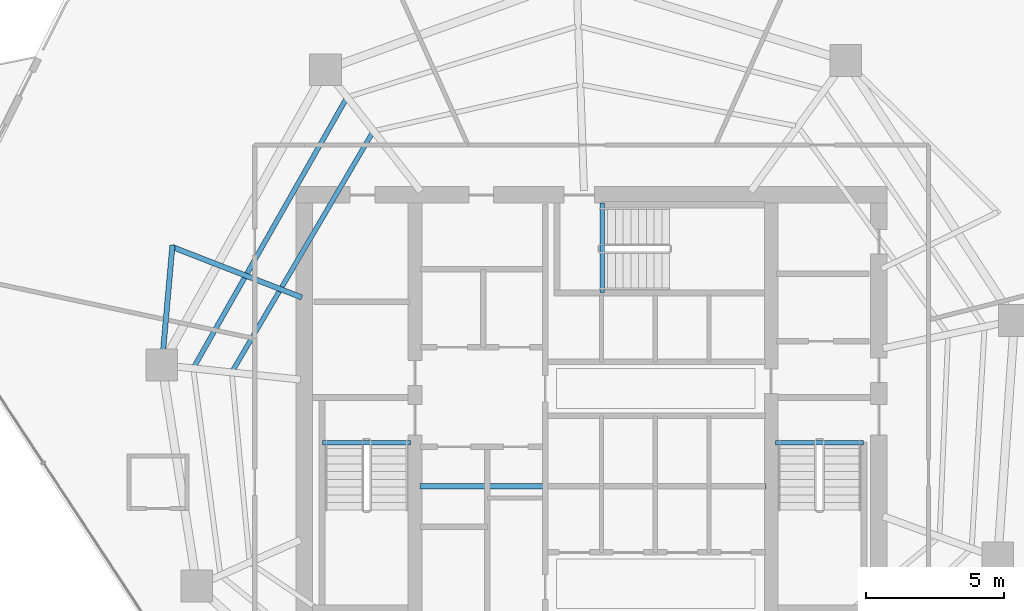
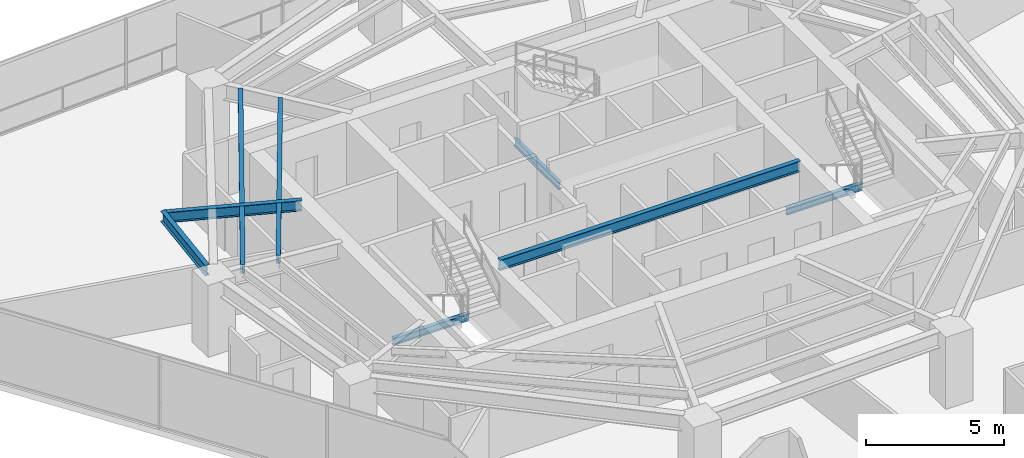
# One storey, part 9 of 30: 8 beams.
"""IFC4 building model written with IfcOpenShell, lengths in metres."""

from ifc_helpers import new_model, si_unit, direction, frame, origin, origin_2d, place, context, subcontext, project, spatial, i_section, extrude, material, material_profile, profile_set, type_object, element, save


model = new_model("IFC4")

# Units and contexts
model_context = context("Model", 3, precision=1e-05, world=origin(), true_north=direction((0.0, 1.0)))
body_context = subcontext(model_context, "Body", "Model", "MODEL_VIEW")
ifc_project = project(units=[si_unit("LENGTHUNIT", "METRE"), si_unit("AREAUNIT", "SQUARE_METRE"), si_unit("VOLUMEUNIT", "CUBIC_METRE"), si_unit("PLANEANGLEUNIT", "RADIAN"), si_unit("MASSUNIT", "GRAM", prefix="KILO")], contexts=[model_context])

# Site, building, storey
site_placement = place(None, origin())
site = spatial("IfcSite", under=ifc_project, at=site_placement, CompositionType="ELEMENT")
building_placement = place(site_placement, origin())
building = spatial("IfcBuilding", under=site, at=building_placement, Name="Qarnah Convention Tower", CompositionType="ELEMENT")
storey_placement = place(building_placement, frame((0.0, 0.0, 79.800048828125)))
storey = spatial("IfcBuildingStorey", under=building, at=storey_placement, Name="L20", CompositionType="ELEMENT", Elevation=79.800048828125)

# Beams
ifc_material = material(Name="Structural steel S355JR", Category="steel")
ifc_material_profile_1 = material_profile(ifc_material, i_section(OverallWidth=0.19189453125, OverallDepth=0.464111328125, WebThickness=0.010986328125, FlangeThickness=0.01806640625, at=origin_2d()), Name="W460X89")
ifc_profile_set_1 = profile_set([ifc_material_profile_1], Name="Structural steel S355JR")
beam_type_1 = type_object("IfcBeamType", Name="BM-CANT-W460A", PredefinedType="BEAM", material=ifc_profile_set_1)
beam_1_placement = place(storey_placement, frame((30.97998046875, 23.64990234375, 2.93798828125), z_axis=(1.0, 0.0, 0.0), x_axis=(0.0, 1.0, 0.0)))
element("IfcBeam", 1, at=beam_1_placement, inside=storey, type_object=beam_type_1, Name="L20 beam BM-L20-KC1", PredefinedType="BEAM", context=body_context, shape_type="SweptSolid", body=[
    extrude(i_section(OverallWidth=0.19189453125, OverallDepth=0.464111328125, WebThickness=0.010986328125, FlangeThickness=0.01806640625, at=origin_2d()), origin(), (0.0, 0.0, 1.0), 12.5400390625),
])
beam_2_placement = place(storey_placement, frame((26.70703125, 30.48291015625, 2.93798828125), z_axis=(-0.93184170275, 0.362865045183, 0.0), x_axis=(-0.362865045183, -0.93184170275, 0.0)))
element("IfcBeam", 2, at=beam_2_placement, inside=storey, type_object=beam_type_1, Name="L20 beam BM-L20-CNT-02-1", PredefinedType="BEAM", context=body_context, shape_type="SweptSolid", body=[
    extrude(i_section(OverallWidth=0.19189453125, OverallDepth=0.464111328125, WebThickness=0.010986328125, FlangeThickness=0.01806640625, at=origin_2d()), origin(), (0.0, 0.0, 1.0), 5.035400390625),
])
beam_3_placement = place(storey_placement, frame((22.02099609375, 32.3798828125, 2.93798828125), z_axis=(-0.088250477094, -0.996098315074, 0.0), x_axis=(0.996098315074, -0.088250477094, 0.0)))
element("IfcBeam", 3, at=beam_3_placement, inside=storey, type_object=beam_type_1, Name="L20 spandrel BM-L20-CTIE-02", PredefinedType="SPANDREL", context=body_context, shape_type="SweptSolid", body=[
    extrude(i_section(OverallWidth=0.19189453125, OverallDepth=0.464111328125, WebThickness=0.010986328125, FlangeThickness=0.01806640625, at=origin_2d()), origin(), (0.0, 0.0, 1.0), 3.795654296875),
])
ifc_material_profile_2 = material_profile(ifc_material, i_section(OverallWidth=0.166015625, OverallDepth=0.31201171875, WebThickness=0.007080078125, FlangeThickness=0.010986328125, at=origin_2d()), Name="W310X45")
ifc_profile_set_2 = profile_set([ifc_material_profile_2], Name="Structural steel S355JR")
beam_type_2 = type_object("IfcBeamType", Name="BM-JST-W310", PredefinedType="JOIST", material=ifc_profile_set_2)
for number, where, z_axis, x_axis, name in (
    (4, (27.4599609375, 25.217041015625, -0.156005859375), (1.0, 0.0, 0.0), (0.0, 1.0, 0.0), "L20 stair landing trimmer beam BM-L20-ST1-TRM"),
    (5, (43.860107421875, 25.217041015625, -0.156005859375), (1.0, 0.0, 0.0), (0.0, 1.0, 0.0), "L20 stair landing trimmer beam BM-L20-ST2-TRM"),
):
    element("IfcBeam", number, at=place(storey_placement, frame(where, z_axis=z_axis, x_axis=x_axis)), inside=storey, type_object=beam_type_2, Name=name, PredefinedType="BEAM", context=body_context, shape_type="SweptSolid", body=[
        extrude(i_section(OverallWidth=0.166015625, OverallDepth=0.31201171875, WebThickness=0.007080078125, FlangeThickness=0.010986328125, at=origin_2d()), origin(), (0.0, 0.0, 1.0), 3.179931640625),
    ])
beam_4_placement = place(storey_placement, frame((37.5830078125, 30.659912109375, -0.156005859375), z_axis=(0.0, 1.0, 0.0), x_axis=(-1.0, 0.0, 0.0)))
element("IfcBeam", 6, at=beam_4_placement, inside=storey, type_object=beam_type_2, Name="L20 stair landing trimmer beam BM-L20-ST3-TRM", PredefinedType="BEAM", context=body_context, shape_type="SweptSolid", body=[
    extrude(i_section(OverallWidth=0.166015625, OverallDepth=0.31201171875, WebThickness=0.007080078125, FlangeThickness=0.010986328125, at=origin_2d()), origin(), (0.0, 0.0, 1.0), 3.239990234375),
])
ifc_material_profile_3 = material_profile(ifc_material, i_section(OverallWidth=0.172119140625, OverallDepth=0.35595703125, WebThickness=0.007080078125, FlangeThickness=0.011962890625, at=origin_2d()), Name="W360X51")
ifc_profile_set_3 = profile_set([ifc_material_profile_3], Name="Structural steel S355JR")
beam_type_3 = type_object("IfcBeamType", Name="BM-JST-W360", PredefinedType="JOIST", material=ifc_profile_set_3)
beam_5_placement = place(storey_placement, frame((29.25390625, 36.43310546875, 2.991943359375), z_axis=(-0.506413461825, -0.862290789515, 0.0), x_axis=(0.862290789515, -0.506413461825, 0.0)))
element("IfcBeam", 7, at=beam_5_placement, inside=storey, type_object=beam_type_3, Name="L20 joist BM-L20-IJST-04", PredefinedType="JOIST", context=body_context, shape_type="SweptSolid", body=[
    extrude(i_section(OverallWidth=0.172119140625, OverallDepth=0.35595703125, WebThickness=0.007080078125, FlangeThickness=0.011962890625, at=origin_2d()), origin(), (0.0, 0.0, 1.0), 9.956298828125),
])
ifc_material_profile_4 = material_profile(ifc_material, i_section(OverallWidth=0.177978515625, OverallDepth=0.407958984375, WebThickness=0.008056640625, FlangeThickness=0.012939453125, at=origin_2d()), Name="W410X60")
ifc_profile_set_4 = profile_set([ifc_material_profile_4], Name="Structural steel S355JR")
beam_type_4 = type_object("IfcBeamType", Name="BM-JST-W410", PredefinedType="JOIST", material=ifc_profile_set_4)
beam_6_placement = place(storey_placement, frame((28.300048828125, 37.656982421875, 2.966064453125), z_axis=(-0.493630675482, -0.869671637012, 0.0), x_axis=(0.869671637012, -0.493630675482, 0.0)))
element("IfcBeam", 8, at=beam_6_placement, inside=storey, type_object=beam_type_4, Name="L20 joist BM-L20-SJST-04", PredefinedType="JOIST", context=body_context, shape_type="SweptSolid", body=[
    extrude(i_section(OverallWidth=0.177978515625, OverallDepth=0.407958984375, WebThickness=0.008056640625, FlangeThickness=0.012939453125, at=origin_2d()), origin(), (0.0, 0.0, 1.0), 11.10986328125),
])

save(model, "model.ifc")
